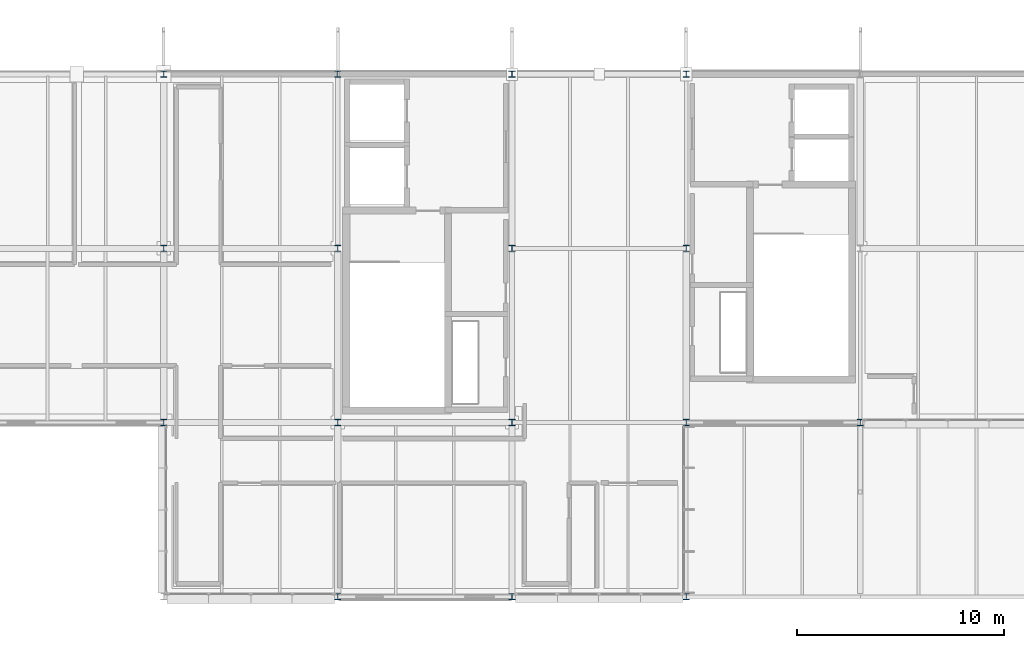
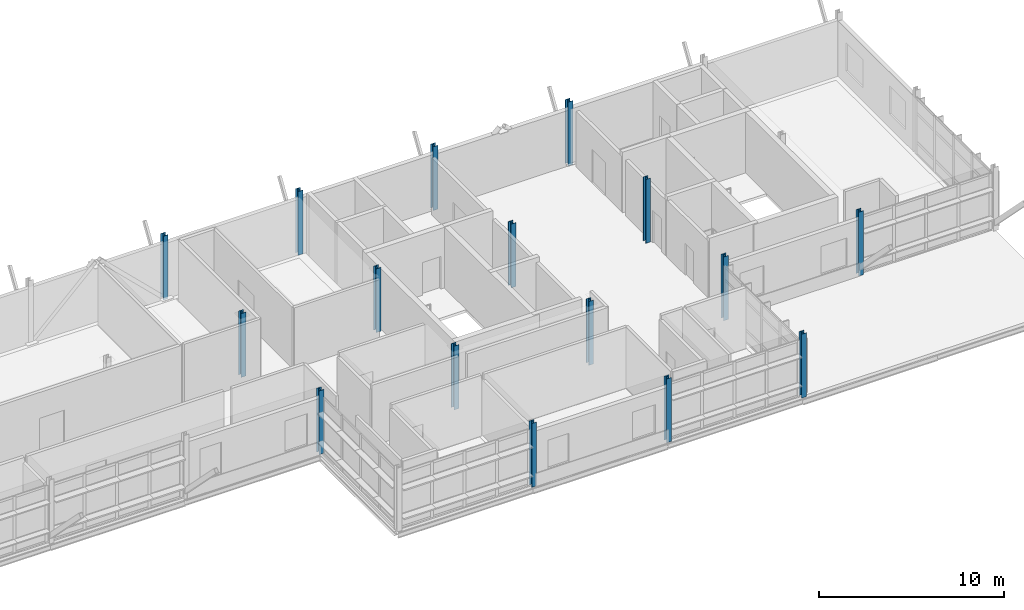
# One storey, part 3 of 35: 16 columns.
"""IFC4 building model written with IfcOpenShell, lengths in metres."""

from ifc_helpers import new_model, si_unit, direction, frame, origin, origin_2d, place, context, subcontext, project, spatial, i_section, extrude, material, material_profile, profile_set, type_object, element, save


model = new_model("IFC4")

# Units and contexts
model_context = context("Model", 3, precision=1e-05, world=origin(), true_north=direction((0.0, 1.0)))
body_context = subcontext(model_context, "Body", "Model", "MODEL_VIEW")
ifc_project = project(units=[si_unit("LENGTHUNIT", "METRE"), si_unit("AREAUNIT", "SQUARE_METRE"), si_unit("VOLUMEUNIT", "CUBIC_METRE"), si_unit("PLANEANGLEUNIT", "RADIAN"), si_unit("MASSUNIT", "GRAM", prefix="KILO")], contexts=[model_context])

# Site, building, storey
site_placement = place(None, origin())
site = spatial("IfcSite", under=ifc_project, at=site_placement, CompositionType="ELEMENT")
building_placement = place(site_placement, origin())
building = spatial("IfcBuilding", under=site, at=building_placement, Name="Mersafa Astral City Hall", CompositionType="ELEMENT")
storey_placement = place(building_placement, frame((0.0, 0.0, 30.14990234375)))
storey = spatial("IfcBuildingStorey", under=building, at=storey_placement, Name="L07", CompositionType="ELEMENT", Elevation=30.14990234375)

# Columns
ifc_material = material(Name="Steel S355", Category="steel")
ifc_material_profile = material_profile(ifc_material, i_section(OverallWidth=0.300048828125, OverallDepth=0.300048828125, WebThickness=0.010986328125, FlangeThickness=0.01904296875, FilletRadius=0.027099609375, at=origin_2d()), Name="HEB 300")
ifc_profile_set = profile_set([ifc_material_profile], Name="Steel S355")
column_type = type_object("IfcColumnType", Name="STR-COL-HEB300", PredefinedType="COLUMN", material=ifc_profile_set)
for number, where, z_axis, x_axis, name in (
    (1, (142.800048828125, 109.199951171875, 0.0), (0.0, 0.0, 1.0), (1.0, 0.0, 0.0), "L07 Structural column G-17-13"),
    (2, (142.800048828125, 117.60009765625, 0.0), (0.0, 0.0, 1.0), (1.0, 0.0, 0.0), "L07 Structural column G-17-14"),
    (3, (142.800048828125, 126.0, 0.0), (0.0, 0.0, 1.0), (1.0, 0.0, 0.0), "L07 Structural column G-17-15"),
    (4, (151.199951171875, 100.800048828125, 0.0), (0.0, 0.0, 1.0), (1.0, 0.0, 0.0), "L07 Structural column G-18-12"),
    (5, (151.199951171875, 109.199951171875, 0.0), (0.0, 0.0, 1.0), (1.0, 0.0, 0.0), "L07 Structural column G-18-13"),
    (6, (151.199951171875, 117.60009765625, 0.0), (0.0, 0.0, 1.0), (1.0, 0.0, 0.0), "L07 Structural column G-18-14"),
    (7, (151.199951171875, 126.0, 0.0), (0.0, 0.0, 1.0), (1.0, 0.0, 0.0), "L07 Structural column G-18-15"),
    (8, (159.60009765625, 100.800048828125, 0.0), (0.0, 0.0, 1.0), (1.0, 0.0, 0.0), "L07 Structural column G-19-12"),
    (9, (159.60009765625, 109.199951171875, 0.0), (0.0, 0.0, 1.0), (1.0, 0.0, 0.0), "L07 Structural column G-19-13"),
    (10, (159.60009765625, 117.60009765625, 0.0), (0.0, 0.0, 1.0), (1.0, 0.0, 0.0), "L07 Structural column G-19-14"),
    (11, (159.60009765625, 126.0, 0.0), (0.0, 0.0, 1.0), (1.0, 0.0, 0.0), "L07 Structural column G-19-15"),
    (12, (168.0, 100.800048828125, 0.0), (0.0, 0.0, 1.0), (1.0, 0.0, 0.0), "L07 Structural column G-20-12"),
    (13, (168.0, 109.199951171875, 0.0), (0.0, 0.0, 1.0), (1.0, 0.0, 0.0), "L07 Structural column G-20-13"),
    (14, (168.0, 117.60009765625, 0.0), (0.0, 0.0, 1.0), (1.0, 0.0, 0.0), "L07 Structural column G-20-14"),
    (15, (168.0, 126.0, 0.0), (0.0, 0.0, 1.0), (1.0, 0.0, 0.0), "L07 Structural column G-20-15"),
    (16, (176.39990234375, 109.199951171875, 0.0), (0.0, 0.0, 1.0), (1.0, 0.0, 0.0), "L07 Structural column G-21-13"),
):
    element("IfcColumn", number, at=place(storey_placement, frame(where, z_axis=z_axis, x_axis=x_axis)), inside=storey, type_object=column_type, Name=name, PredefinedType="COLUMN", context=body_context, shape_type="SweptSolid", body=[
        extrude(i_section(OverallWidth=0.300048828125, OverallDepth=0.300048828125, WebThickness=0.010986328125, FlangeThickness=0.01904296875, FilletRadius=0.027099609375, at=origin_2d()), origin(), (0.0, 0.0, 1.0), 4.2001953125),
    ])

save(model, "model.ifc")
